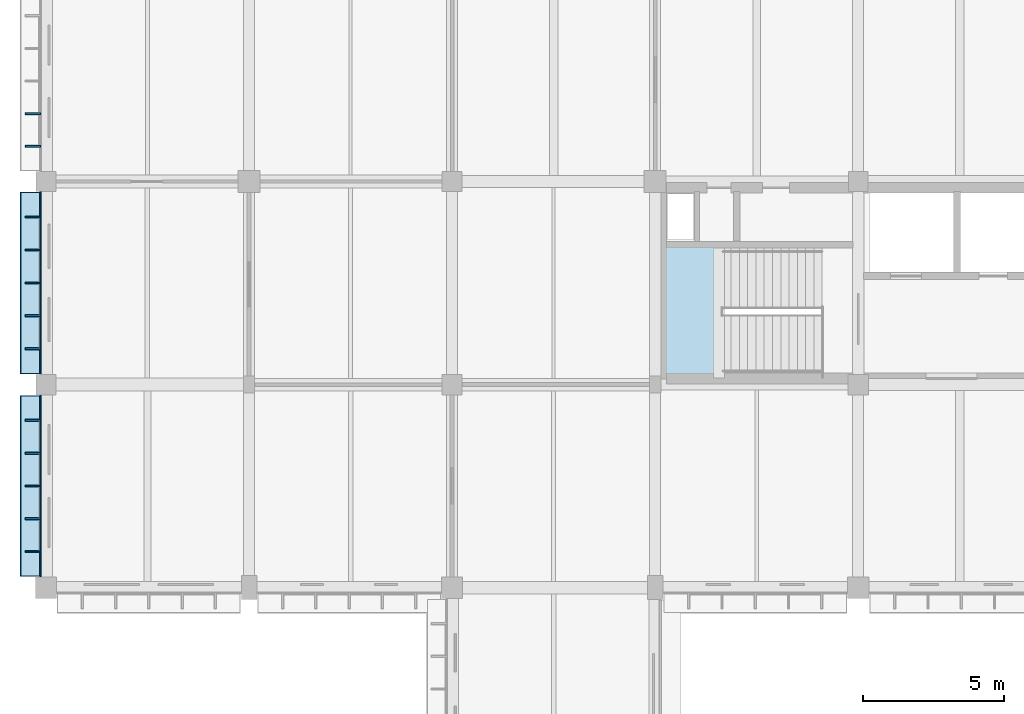
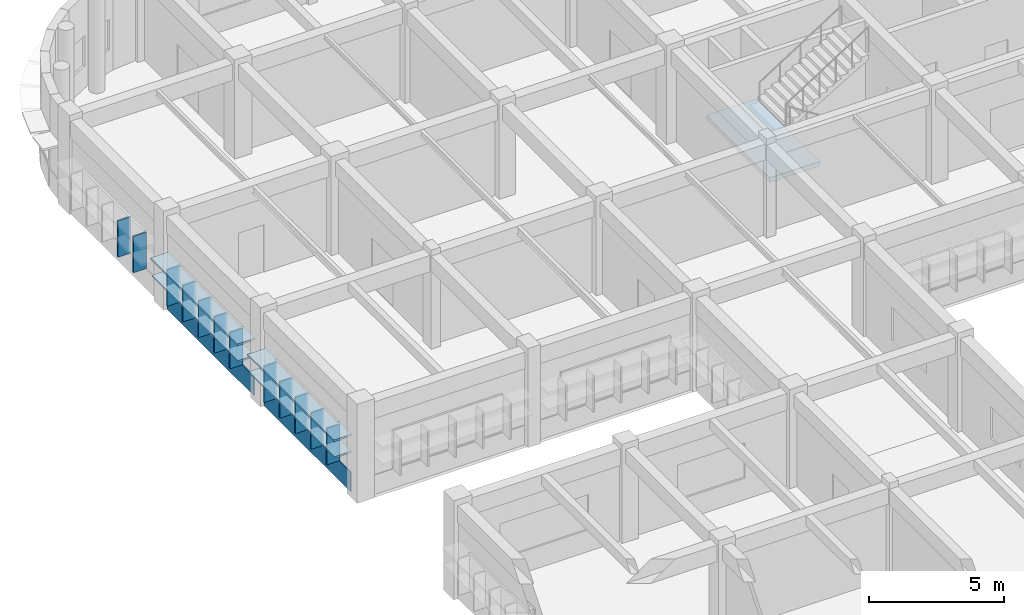
# One storey, part 25 of 61: 18 plates, 1 slab, 1 element without a shape of its own.
"""IFC4 building model written with IfcOpenShell, lengths in metres."""

from ifc_helpers import new_model, si_unit, direction, frame, origin, origin_2d, place, context, subcontext, project, spatial, polyline, rectangle, outline, extrude, material, layer, layer_set, type_object, element, aggregate, save


model = new_model("IFC4")

# Units and contexts
model_context = context("Model", 3, precision=1e-05, world=origin(), true_north=direction((0.0, 1.0)))
body_context = subcontext(model_context, "Body", "Model", "MODEL_VIEW")
ifc_project = project(units=[si_unit("LENGTHUNIT", "METRE"), si_unit("AREAUNIT", "SQUARE_METRE"), si_unit("VOLUMEUNIT", "CUBIC_METRE"), si_unit("PLANEANGLEUNIT", "RADIAN"), si_unit("MASSUNIT", "GRAM", prefix="KILO")], contexts=[model_context])

# Site, building, storey
site_placement = place(None, origin())
site = spatial("IfcSite", under=ifc_project, at=site_placement, CompositionType="ELEMENT")
building_placement = place(site_placement, origin())
building = spatial("IfcBuilding", under=site, at=building_placement, Name="Thalmaran Polytechnic", CompositionType="ELEMENT")
storey_placement = place(building_placement, frame((0.0, 0.0, 9.89990234375)))
storey = spatial("IfcBuildingStorey", under=building, at=storey_placement, Name="L02", CompositionType="ELEMENT", Elevation=9.89990234375)

# Plates
ifc_material_1 = material(Name="Anodised aluminium spandrel band", Category="aluminium")
ifc_layer_1 = layer(ifc_material_1, 0.054931640625, Name="Anodised aluminium spandrel band")
ifc_layer_set_1 = layer_set([ifc_layer_1], Name="Anodised aluminium spandrel band")
plate_type_1 = type_object("IfcPlateType", Name="PT-BD01", PredefinedType="SHEET", material=ifc_layer_set_1)
plate_1_placement = place(storey_placement, frame((-0.195068359375, 97.20751953125, 0.020263671875), z_axis=(0.0, 0.0, 1.0), x_axis=(0.0, 1.0, 0.0)))
element("IfcPlate", 1, at=plate_1_placement, inside=storey, type_object=plate_type_1, Name="Streamline Horizontal Spandrel Band L02-018", PredefinedType="SHEET", context=body_context, shape_type="SweptSolid", body=[
    extrude(rectangle(XDim=6.425048828125, YDim=0.054931640625, at=origin_2d()), origin(), (0.0, 0.0, 1.0), 0.8798828125),
])
plate_2_placement = place(storey_placement, frame((-0.195068359375, 104.405029296875, 0.020263671875), z_axis=(0.0, 0.0, 1.0), x_axis=(0.0, 1.0, 0.0)))
element("IfcPlate", 2, at=plate_2_placement, inside=storey, type_object=plate_type_1, Name="Streamline Horizontal Spandrel Band L02-019", PredefinedType="SHEET", context=body_context, shape_type="SweptSolid", body=[
    extrude(rectangle(XDim=6.449951171875, YDim=0.054931640625, at=origin_2d()), origin(), (0.0, 0.0, 1.0), 0.8798828125),
])
ifc_material_2 = material(Name="Anodised aluminium sun-hood eyebrow", Category="aluminium")
ifc_layer_2 = layer(ifc_material_2, 0.0849609375, Name="Anodised aluminium sun-hood eyebrow")
ifc_layer_set_2 = layer_set([ifc_layer_2], Name="Anodised aluminium sun-hood eyebrow")
plate_type_2 = type_object("IfcPlateType", Name="PT-EB01", PredefinedType="SHEET", material=ifc_layer_set_2)
plate_3_placement = place(storey_placement, frame((-0.5400390625, 97.20751953125, 2.517578125), z_axis=(0.0, 0.0, 1.0), x_axis=(0.0, 1.0, 0.0)))
element("IfcPlate", 3, at=plate_3_placement, inside=storey, type_object=plate_type_2, Name="Streamline Sun-Hood Eyebrow L02-018", PredefinedType="SHEET", context=body_context, shape_type="SweptSolid", body=[
    extrude(rectangle(XDim=6.425048828125, YDim=0.760009765625, at=origin_2d()), origin(), (0.0, 0.0, 1.0), 0.0849609375),
])
plate_4_placement = place(storey_placement, frame((-0.52001953125, 97.20751953125, 1.74267578125), z_axis=(0.0, 0.0, 1.0), x_axis=(0.0, 1.0, 0.0)))
element("IfcPlate", 4, at=plate_4_placement, inside=storey, type_object=plate_type_2, Name="Abu Dhabi Horizontal Solar Louvre L02-018", PredefinedType="SHEET", context=body_context, shape_type="SweptSolid", body=[
    extrude(rectangle(XDim=6.385009765625, YDim=0.719970703125, at=origin_2d()), origin(), (0.0, 0.0, 1.0), 0.074951171875),
])
plate_5_placement = place(storey_placement, frame((-0.5400390625, 104.405029296875, 2.517578125), z_axis=(0.0, 0.0, 1.0), x_axis=(0.0, 1.0, 0.0)))
element("IfcPlate", 5, at=plate_5_placement, inside=storey, type_object=plate_type_2, Name="Streamline Sun-Hood Eyebrow L02-019", PredefinedType="SHEET", context=body_context, shape_type="SweptSolid", body=[
    extrude(rectangle(XDim=6.449951171875, YDim=0.760009765625, at=origin_2d()), origin(), (0.0, 0.0, 1.0), 0.0849609375),
])
plate_6_placement = place(storey_placement, frame((-0.52001953125, 104.405029296875, 1.74267578125), z_axis=(0.0, 0.0, 1.0), x_axis=(0.0, 1.0, 0.0)))
element("IfcPlate", 6, at=plate_6_placement, inside=storey, type_object=plate_type_2, Name="Abu Dhabi Horizontal Solar Louvre L02-019", PredefinedType="SHEET", context=body_context, shape_type="SweptSolid", body=[
    extrude(rectangle(XDim=6.409912109375, YDim=0.719970703125, at=origin_2d()), origin(), (0.0, 0.0, 1.0), 0.074951171875),
])
ifc_material_3 = material(Name="Anodised bronze brise-soleil fin")
ifc_layer_3 = layer(ifc_material_3, 0.06494140625, Name="Anodised bronze brise-soleil fin")
ifc_layer_set_3 = layer_set([ifc_layer_3], Name="Anodised bronze brise-soleil fin")
plate_type_3 = type_object("IfcPlateType", Name="PT-FN01", PredefinedType="SHEET", material=ifc_layer_set_3)
for number, where, z_axis, x_axis, name in (
    (7, (-0.4599609375, 94.880126953125, 0.895263671875), (0.0, 0.0, 1.0), (0.0, 1.0, 0.0), "Abu Dhabi Solar Brise-Soleil Fin L02-018-1"),
    (8, (-0.4599609375, 96.043701171875, 0.895263671875), (0.0, 0.0, 1.0), (0.0, 1.0, 0.0), "Abu Dhabi Solar Brise-Soleil Fin L02-018-2"),
    (9, (-0.4599609375, 97.20751953125, 0.895263671875), (0.0, 0.0, 1.0), (0.0, 1.0, 0.0), "Abu Dhabi Solar Brise-Soleil Fin L02-018-3"),
    (10, (-0.4599609375, 98.37109375, 0.895263671875), (0.0, 0.0, 1.0), (0.0, 1.0, 0.0), "Abu Dhabi Solar Brise-Soleil Fin L02-018-4"),
    (11, (-0.4599609375, 99.534912109375, 0.895263671875), (0.0, 0.0, 1.0), (0.0, 1.0, 0.0), "Abu Dhabi Solar Brise-Soleil Fin L02-018-5"),
    (12, (-0.4599609375, 102.068603515625, 0.895263671875), (0.0, 0.0, 1.0), (0.0, 1.0, 0.0), "Abu Dhabi Solar Brise-Soleil Fin L02-019-1"),
    (13, (-0.4599609375, 103.23681640625, 0.895263671875), (0.0, 0.0, 1.0), (0.0, 1.0, 0.0), "Abu Dhabi Solar Brise-Soleil Fin L02-019-2"),
    (14, (-0.4599609375, 104.405029296875, 0.895263671875), (0.0, 0.0, 1.0), (0.0, 1.0, 0.0), "Abu Dhabi Solar Brise-Soleil Fin L02-019-3"),
    (15, (-0.4599609375, 105.5732421875, 0.895263671875), (0.0, 0.0, 1.0), (0.0, 1.0, 0.0), "Abu Dhabi Solar Brise-Soleil Fin L02-019-4"),
    (16, (-0.4599609375, 106.741455078125, 0.895263671875), (0.0, 0.0, 1.0), (0.0, 1.0, 0.0), "Abu Dhabi Solar Brise-Soleil Fin L02-019-5"),
    (17, (-0.4599609375, 109.24951171875, 0.895263671875), (0.0, 0.0, 1.0), (0.0, 1.0, 0.0), "Abu Dhabi Solar Brise-Soleil Fin L02-020-1"),
    (18, (-0.4599609375, 110.406005859375, 0.895263671875), (0.0, 0.0, 1.0), (0.0, 1.0, 0.0), "Abu Dhabi Solar Brise-Soleil Fin L02-020-2"),
):
    element("IfcPlate", number, at=place(storey_placement, frame(where, z_axis=z_axis, x_axis=x_axis)), inside=storey, type_object=plate_type_3, Name=name, PredefinedType="SHEET", context=body_context, shape_type="SweptSolid", body=[
        extrude(rectangle(XDim=0.06494140625, YDim=0.56005859375, at=origin_2d()), origin(), (0.0, 0.0, 1.0), 1.64990234375),
    ])

# Stair, slab
ifc_material_4 = material(Name="Concrete C40/50", Category="concrete")
stair_type = type_object("IfcStairType", Name="ST-HT45", PredefinedType="HALF_TURN_STAIR", material=ifc_material_4)
stair_placement = place(storey_placement, origin())
stair = element("IfcStair", 19, at=stair_placement, inside=storey, type_object=stair_type, Name="Exit Stair ST2 L02", PredefinedType="HALF_TURN_STAIR")
ifc_layer_4 = layer(ifc_material_4, 0.2099609375, Name="Concrete C40/50")
ifc_layer_set_4 = layer_set([ifc_layer_4], Name="Concrete C40/50")
slab_type = type_object("IfcSlabType", Name="SL-LD01", PredefinedType="LANDING", material=ifc_layer_set_4)
slab_placement = place(storey_placement, frame((0.0, 0.0, 2.0400390625)))
slab = element("IfcSlab", 20, at=slab_placement, type_object=slab_type, Name="ST2 L02 Half Landing", PredefinedType="LANDING", context=body_context, shape_type="SweptSolid", body=[
    extrude(outline(polyline([(21.840087890625, 101.0400390625), (24.0, 101.0400390625), (24.0, 105.739990234375), (21.840087890625, 105.739990234375), (21.840087890625, 101.0400390625)])), origin(), (0.0, 0.0, 1.0), 0.2099609375),
])
aggregate(stair, [slab])

save(model, "model.ifc")
